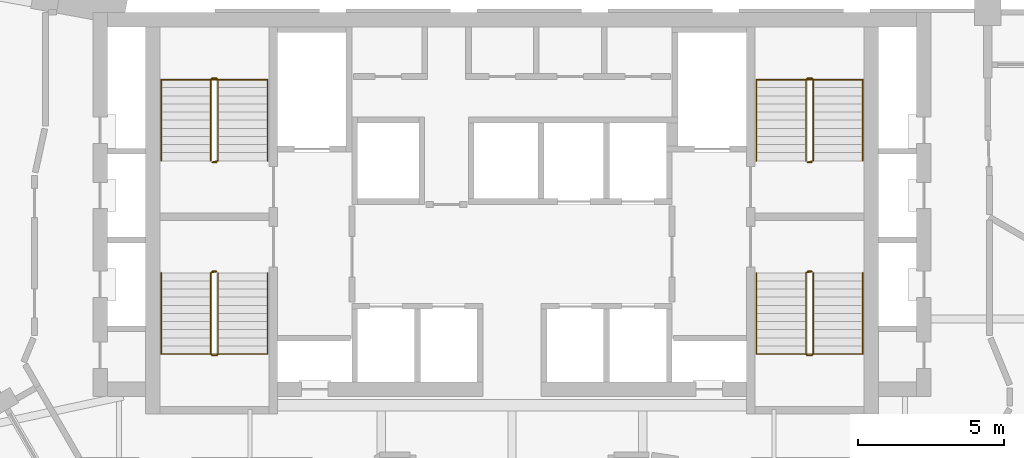
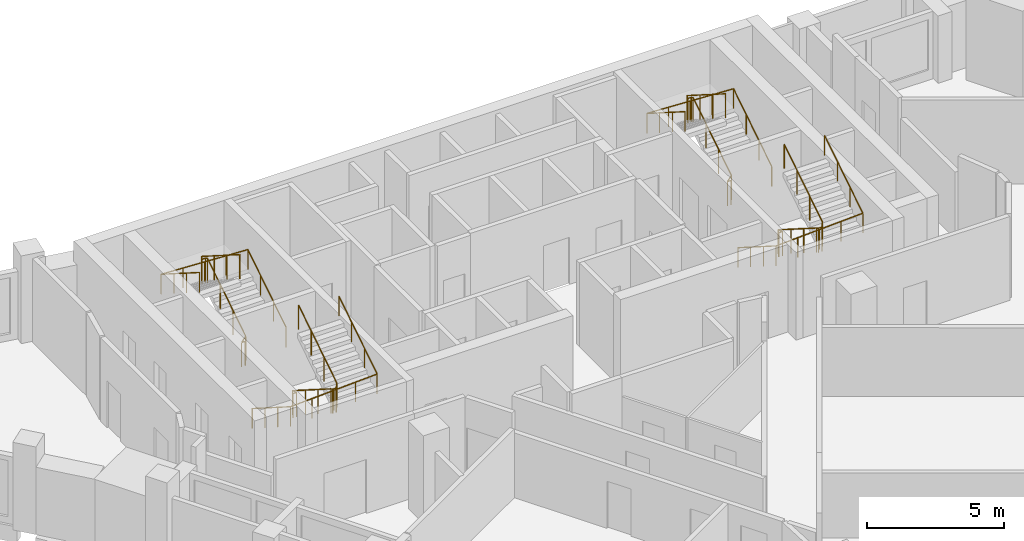
# One storey, part 9 of 9: 8 railings.
"""IFC4 building model written with IfcOpenShell, lengths in metres."""

from ifc_helpers import new_model, si_unit, direction, frame, origin, origin_2d, place, context, subcontext, project, spatial, circle, extrude, material, type_object, element, save


model = new_model("IFC4")

# Units and contexts
model_context = context("Model", 3, precision=1e-05, world=origin(), true_north=direction((0.0, 1.0)))
body_context = subcontext(model_context, "Body", "Model", "MODEL_VIEW")
ifc_project = project(units=[si_unit("LENGTHUNIT", "METRE"), si_unit("AREAUNIT", "SQUARE_METRE"), si_unit("VOLUMEUNIT", "CUBIC_METRE"), si_unit("PLANEANGLEUNIT", "RADIAN"), si_unit("MASSUNIT", "GRAM", prefix="KILO")], contexts=[model_context])

# Site, building, storey
site_placement = place(None, origin())
site = spatial("IfcSite", under=ifc_project, at=site_placement, CompositionType="ELEMENT")
building_placement = place(site_placement, origin())
building = spatial("IfcBuilding", under=site, at=building_placement, Name="Calabash Gate Tower", CompositionType="ELEMENT")
storey_placement = place(building_placement, frame((0.0, 0.0, 227.60009765625)))
storey = spatial("IfcBuildingStorey", under=building, at=storey_placement, Name="L54", CompositionType="ELEMENT", Elevation=227.60009765625)

# Railings
ifc_material_1 = material(Name="Black powder-coated steel balusters", Category="steel")
railing_type_1 = type_object("IfcRailingType", Name="Stair guard RL1100", PredefinedType="GUARDRAIL", material=ifc_material_1)
railing_1_placement = place(storey_placement, frame((-10.14990234375, 13.902587890625, 0.0)))
element("IfcRailing", 1, at=railing_1_placement, inside=storey, type_object=railing_type_1, Name="L54 ST1 stair guard 1", PredefinedType="GUARDRAIL", context=body_context, shape_type="SweptSolid", body=[
    extrude(circle(Radius=0.02392578125, at=origin_2d()), frame((0.0, 0.0, 1.076171875), z_axis=(-1.0, 0.0, 0.0), x_axis=(0.0, -1.0, 0.0)), (0.0, 0.0, 1.0), 0.150146484375),
    extrude(circle(Radius=0.02392578125, at=origin_2d()), frame((-0.150146484375, 0.0, 1.076171875), z_axis=(0.735524641326, 0.184105679453, 0.652003528208), x_axis=(-0.242814311512, 0.970072785993, 0.0)), (0.0, 0.0, 1.0), 0.271728515625),
    extrude(circle(Radius=0.02392578125, at=origin_2d()), frame((0.0498046875, 0.050048828125, 1.25341796875), z_axis=(0.0, 0.844041424197, 0.536277982245), x_axis=(-1.0, 0.0, 0.0)), (0.0, 0.0, 1.0), 3.3056640625),
    extrude(circle(Radius=0.02392578125, at=origin_2d()), frame((0.0498046875, 2.840087890625, 3.02587890625), z_axis=(-0.707106781187, 0.707106781187, 0.0), x_axis=(-0.707106781187, -0.707106781187, 0.0)), (0.0, 0.0, 1.0), 0.0703125),
    extrude(circle(Radius=0.02392578125, at=origin_2d()), frame((0.0, 2.889892578125, 3.02587890625), z_axis=(-1.0, 0.0, 0.0), x_axis=(0.0, -1.0, 0.0)), (0.0, 0.0, 1.0), 0.150146484375),
    extrude(circle(Radius=0.02392578125, at=origin_2d()), frame((-0.150146484375, 2.889892578125, 3.02587890625), z_axis=(-0.262321481514, -0.261041864531, 0.929001929653), x_axis=(0.705375805398, -0.708833529934, 0.0)), (0.0, 0.0, 1.0), 0.190673828125),
    extrude(circle(Radius=0.02392578125, at=origin_2d()), frame((-0.2001953125, 2.840087890625, 3.203125), z_axis=(0.0, -0.844041424197, 0.536277982245), x_axis=(1.0, 0.0, 0.0)), (0.0, 0.0, 1.0), 3.3056640625),
    extrude(circle(Radius=0.02099609375, at=origin_2d()), origin(), (0.0, 0.0, 1.0), 1.052001953125),
    extrude(circle(Radius=0.02099609375, at=origin_2d()), frame((-0.150146484375, 0.0, 0.0)), (0.0, 0.0, 1.0), 1.052001953125),
    extrude(circle(Radius=0.02099609375, at=origin_2d()), frame((0.0498046875, 0.050048828125, 0.17724609375)), (0.0, 0.0, 1.0), 1.052001953125),
    extrude(circle(Radius=0.02099609375, at=origin_2d()), frame((0.0498046875, 0.97998046875, 0.76806640625)), (0.0, 0.0, 1.0), 1.052001953125),
    extrude(circle(Radius=0.02099609375, at=origin_2d()), frame((0.0498046875, 1.91015625, 1.359130859375)), (0.0, 0.0, 1.0), 1.052001953125),
    extrude(circle(Radius=0.02099609375, at=origin_2d()), frame((0.0498046875, 2.840087890625, 1.949951171875)), (0.0, 0.0, 1.0), 1.052001953125),
    extrude(circle(Radius=0.02099609375, at=origin_2d()), frame((0.0, 2.889892578125, 1.949951171875)), (0.0, 0.0, 1.0), 1.052001953125),
    extrude(circle(Radius=0.02099609375, at=origin_2d()), frame((-0.150146484375, 2.889892578125, 1.949951171875)), (0.0, 0.0, 1.0), 1.052001953125),
    extrude(circle(Radius=0.02099609375, at=origin_2d()), frame((-0.2001953125, 2.840087890625, 2.127197265625)), (0.0, 0.0, 1.0), 1.052001953125),
    extrude(circle(Radius=0.02099609375, at=origin_2d()), frame((-0.2001953125, 1.91015625, 2.718017578125)), (0.0, 0.0, 1.0), 1.052001953125),
    extrude(circle(Radius=0.02099609375, at=origin_2d()), frame((-0.2001953125, 0.97998046875, 3.30908203125)), (0.0, 0.0, 1.0), 1.052001953125),
    extrude(circle(Radius=0.02099609375, at=origin_2d()), frame((-0.2001953125, 0.050048828125, 3.89990234375)), (0.0, 0.0, 1.0), 1.052001953125),
])
railing_2_placement = place(storey_placement, frame((-10.300048828125, 10.152587890625, 0.0)))
element("IfcRailing", 2, at=railing_2_placement, inside=storey, type_object=railing_type_1, Name="L54 ST2 stair guard 1", PredefinedType="GUARDRAIL", context=body_context, shape_type="SweptSolid", body=[
    extrude(circle(Radius=0.02392578125, at=origin_2d()), frame((0.0, 0.0, 1.076171875), z_axis=(1.0, 0.0, 0.0), x_axis=(0.0, 1.0, 0.0)), (0.0, 0.0, 1.0), 0.150146484375),
    extrude(circle(Radius=0.02392578125, at=origin_2d()), frame((0.150146484375, 0.0, 1.076171875), z_axis=(-0.735936453418, -0.183984113355, 0.651573006319), x_axis=(0.242535625036, -0.970142500145, 0.0)), (0.0, 0.0, 1.0), 0.27197265625),
    extrude(circle(Radius=0.02392578125, at=origin_2d()), frame((-0.050048828125, -0.050048828125, 1.25341796875), z_axis=(0.0, -0.844041424197, 0.536277982245), x_axis=(1.0, 0.0, 0.0)), (0.0, 0.0, 1.0), 3.3056640625),
    extrude(circle(Radius=0.02392578125, at=origin_2d()), frame((-0.050048828125, -2.840087890625, 3.02587890625), z_axis=(0.708833529934, -0.705375805398, 0.0), x_axis=(0.705375805398, 0.708833529934, 0.0)), (0.0, 0.0, 1.0), 0.070556640625),
    extrude(circle(Radius=0.02392578125, at=origin_2d()), frame((0.0, -2.889892578125, 3.02587890625), z_axis=(1.0, 0.0, 0.0), x_axis=(0.0, 1.0, 0.0)), (0.0, 0.0, 1.0), 0.150146484375),
    extrude(circle(Radius=0.02392578125, at=origin_2d()), frame((0.150146484375, -2.889892578125, 3.02587890625), z_axis=(0.261129318932, 0.261129318932, 0.929313164433), x_axis=(-0.707106781187, 0.707106781187, 0.0)), (0.0, 0.0, 1.0), 0.190673828125),
    extrude(circle(Radius=0.02392578125, at=origin_2d()), frame((0.199951171875, -2.840087890625, 3.203125), z_axis=(0.0, 0.844041424197, 0.536277982245), x_axis=(-1.0, 0.0, 0.0)), (0.0, 0.0, 1.0), 3.3056640625),
    extrude(circle(Radius=0.02099609375, at=origin_2d()), origin(), (0.0, 0.0, 1.0), 1.052001953125),
    extrude(circle(Radius=0.02099609375, at=origin_2d()), frame((0.150146484375, 0.0, 0.0)), (0.0, 0.0, 1.0), 1.052001953125),
    extrude(circle(Radius=0.02099609375, at=origin_2d()), frame((-0.050048828125, -0.050048828125, 0.17724609375)), (0.0, 0.0, 1.0), 1.052001953125),
    extrude(circle(Radius=0.02099609375, at=origin_2d()), frame((-0.050048828125, -0.97998046875, 0.76806640625)), (0.0, 0.0, 1.0), 1.052001953125),
    extrude(circle(Radius=0.02099609375, at=origin_2d()), frame((-0.050048828125, -1.91015625, 1.359130859375)), (0.0, 0.0, 1.0), 1.052001953125),
    extrude(circle(Radius=0.02099609375, at=origin_2d()), frame((-0.050048828125, -2.840087890625, 1.949951171875)), (0.0, 0.0, 1.0), 1.052001953125),
    extrude(circle(Radius=0.02099609375, at=origin_2d()), frame((0.0, -2.889892578125, 1.949951171875)), (0.0, 0.0, 1.0), 1.052001953125),
    extrude(circle(Radius=0.02099609375, at=origin_2d()), frame((0.150146484375, -2.889892578125, 1.949951171875)), (0.0, 0.0, 1.0), 1.052001953125),
    extrude(circle(Radius=0.02099609375, at=origin_2d()), frame((0.199951171875, -2.840087890625, 2.127197265625)), (0.0, 0.0, 1.0), 1.052001953125),
    extrude(circle(Radius=0.02099609375, at=origin_2d()), frame((0.199951171875, -1.91015625, 2.718017578125)), (0.0, 0.0, 1.0), 1.052001953125),
    extrude(circle(Radius=0.02099609375, at=origin_2d()), frame((0.199951171875, -0.97998046875, 3.30908203125)), (0.0, 0.0, 1.0), 1.052001953125),
    extrude(circle(Radius=0.02099609375, at=origin_2d()), frame((0.199951171875, -0.050048828125, 3.89990234375)), (0.0, 0.0, 1.0), 1.052001953125),
])
railing_3_placement = place(storey_placement, frame((10.300048828125, 13.902587890625, 0.0)))
element("IfcRailing", 3, at=railing_3_placement, inside=storey, type_object=railing_type_1, Name="L54 ST3 stair guard 1", PredefinedType="GUARDRAIL", context=body_context, shape_type="SweptSolid", body=[
    extrude(circle(Radius=0.02392578125, at=origin_2d()), frame((0.0, 0.0, 1.076171875), z_axis=(-1.0, 0.0, 0.0), x_axis=(0.0, -1.0, 0.0)), (0.0, 0.0, 1.0), 0.150146484375),
    extrude(circle(Radius=0.02392578125, at=origin_2d()), frame((-0.150146484375, 0.0, 1.076171875), z_axis=(0.735936453418, 0.183984113355, 0.651573006319), x_axis=(-0.242535625036, 0.970142500145, 0.0)), (0.0, 0.0, 1.0), 0.27197265625),
    extrude(circle(Radius=0.02392578125, at=origin_2d()), frame((0.050048828125, 0.050048828125, 1.25341796875), z_axis=(0.0, 0.844041424197, 0.536277982245), x_axis=(-1.0, 0.0, 0.0)), (0.0, 0.0, 1.0), 3.3056640625),
    extrude(circle(Radius=0.02392578125, at=origin_2d()), frame((0.050048828125, 2.840087890625, 3.02587890625), z_axis=(-0.708833529934, 0.705375805398, 0.0), x_axis=(-0.705375805398, -0.708833529934, 0.0)), (0.0, 0.0, 1.0), 0.070556640625),
    extrude(circle(Radius=0.02392578125, at=origin_2d()), frame((0.0, 2.889892578125, 3.02587890625), z_axis=(-1.0, 0.0, 0.0), x_axis=(0.0, -1.0, 0.0)), (0.0, 0.0, 1.0), 0.150146484375),
    extrude(circle(Radius=0.02392578125, at=origin_2d()), frame((-0.150146484375, 2.889892578125, 3.02587890625), z_axis=(-0.261129318932, -0.261129318932, 0.929313164433), x_axis=(0.707106781187, -0.707106781187, 0.0)), (0.0, 0.0, 1.0), 0.190673828125),
    extrude(circle(Radius=0.02392578125, at=origin_2d()), frame((-0.199951171875, 2.840087890625, 3.203125), z_axis=(0.0, -0.844041424197, 0.536277982245), x_axis=(1.0, 0.0, 0.0)), (0.0, 0.0, 1.0), 3.3056640625),
    extrude(circle(Radius=0.02099609375, at=origin_2d()), origin(), (0.0, 0.0, 1.0), 1.052001953125),
    extrude(circle(Radius=0.02099609375, at=origin_2d()), frame((-0.150146484375, 0.0, 0.0)), (0.0, 0.0, 1.0), 1.052001953125),
    extrude(circle(Radius=0.02099609375, at=origin_2d()), frame((0.050048828125, 0.050048828125, 0.17724609375)), (0.0, 0.0, 1.0), 1.052001953125),
    extrude(circle(Radius=0.02099609375, at=origin_2d()), frame((0.050048828125, 0.97998046875, 0.76806640625)), (0.0, 0.0, 1.0), 1.052001953125),
    extrude(circle(Radius=0.02099609375, at=origin_2d()), frame((0.050048828125, 1.91015625, 1.359130859375)), (0.0, 0.0, 1.0), 1.052001953125),
    extrude(circle(Radius=0.02099609375, at=origin_2d()), frame((0.050048828125, 2.840087890625, 1.949951171875)), (0.0, 0.0, 1.0), 1.052001953125),
    extrude(circle(Radius=0.02099609375, at=origin_2d()), frame((0.0, 2.889892578125, 1.949951171875)), (0.0, 0.0, 1.0), 1.052001953125),
    extrude(circle(Radius=0.02099609375, at=origin_2d()), frame((-0.150146484375, 2.889892578125, 1.949951171875)), (0.0, 0.0, 1.0), 1.052001953125),
    extrude(circle(Radius=0.02099609375, at=origin_2d()), frame((-0.199951171875, 2.840087890625, 2.127197265625)), (0.0, 0.0, 1.0), 1.052001953125),
    extrude(circle(Radius=0.02099609375, at=origin_2d()), frame((-0.199951171875, 1.91015625, 2.718017578125)), (0.0, 0.0, 1.0), 1.052001953125),
    extrude(circle(Radius=0.02099609375, at=origin_2d()), frame((-0.199951171875, 0.97998046875, 3.30908203125)), (0.0, 0.0, 1.0), 1.052001953125),
    extrude(circle(Radius=0.02099609375, at=origin_2d()), frame((-0.199951171875, 0.050048828125, 3.89990234375)), (0.0, 0.0, 1.0), 1.052001953125),
])
railing_4_placement = place(storey_placement, frame((10.14990234375, 10.152587890625, 0.0)))
element("IfcRailing", 4, at=railing_4_placement, inside=storey, type_object=railing_type_1, Name="L54 ST4 stair guard 1", PredefinedType="GUARDRAIL", context=body_context, shape_type="SweptSolid", body=[
    extrude(circle(Radius=0.02392578125, at=origin_2d()), frame((0.0, 0.0, 1.076171875), z_axis=(1.0, 0.0, 0.0), x_axis=(0.0, 1.0, 0.0)), (0.0, 0.0, 1.0), 0.150146484375),
    extrude(circle(Radius=0.02392578125, at=origin_2d()), frame((0.150146484375, 0.0, 1.076171875), z_axis=(-0.735524641326, -0.184105679453, 0.652003528208), x_axis=(0.242814311512, -0.970072785993, 0.0)), (0.0, 0.0, 1.0), 0.271728515625),
    extrude(circle(Radius=0.02392578125, at=origin_2d()), frame((-0.0498046875, -0.050048828125, 1.25341796875), z_axis=(0.0, -0.844041424197, 0.536277982245), x_axis=(1.0, 0.0, 0.0)), (0.0, 0.0, 1.0), 3.3056640625),
    extrude(circle(Radius=0.02392578125, at=origin_2d()), frame((-0.0498046875, -2.840087890625, 3.02587890625), z_axis=(0.707106781187, -0.707106781187, 0.0), x_axis=(0.707106781187, 0.707106781187, 0.0)), (0.0, 0.0, 1.0), 0.0703125),
    extrude(circle(Radius=0.02392578125, at=origin_2d()), frame((0.0, -2.889892578125, 3.02587890625), z_axis=(1.0, 0.0, 0.0), x_axis=(0.0, 1.0, 0.0)), (0.0, 0.0, 1.0), 0.150146484375),
    extrude(circle(Radius=0.02392578125, at=origin_2d()), frame((0.150146484375, -2.889892578125, 3.02587890625), z_axis=(0.262321481514, 0.261041864531, 0.929001929653), x_axis=(-0.705375805398, 0.708833529934, 0.0)), (0.0, 0.0, 1.0), 0.190673828125),
    extrude(circle(Radius=0.02392578125, at=origin_2d()), frame((0.2001953125, -2.840087890625, 3.203125), z_axis=(0.0, 0.844041424197, 0.536277982245), x_axis=(-1.0, 0.0, 0.0)), (0.0, 0.0, 1.0), 3.3056640625),
    extrude(circle(Radius=0.02099609375, at=origin_2d()), origin(), (0.0, 0.0, 1.0), 1.052001953125),
    extrude(circle(Radius=0.02099609375, at=origin_2d()), frame((0.150146484375, 0.0, 0.0)), (0.0, 0.0, 1.0), 1.052001953125),
    extrude(circle(Radius=0.02099609375, at=origin_2d()), frame((-0.0498046875, -0.050048828125, 0.17724609375)), (0.0, 0.0, 1.0), 1.052001953125),
    extrude(circle(Radius=0.02099609375, at=origin_2d()), frame((-0.0498046875, -0.97998046875, 0.76806640625)), (0.0, 0.0, 1.0), 1.052001953125),
    extrude(circle(Radius=0.02099609375, at=origin_2d()), frame((-0.0498046875, -1.91015625, 1.359130859375)), (0.0, 0.0, 1.0), 1.052001953125),
    extrude(circle(Radius=0.02099609375, at=origin_2d()), frame((-0.0498046875, -2.840087890625, 1.949951171875)), (0.0, 0.0, 1.0), 1.052001953125),
    extrude(circle(Radius=0.02099609375, at=origin_2d()), frame((0.0, -2.889892578125, 1.949951171875)), (0.0, 0.0, 1.0), 1.052001953125),
    extrude(circle(Radius=0.02099609375, at=origin_2d()), frame((0.150146484375, -2.889892578125, 1.949951171875)), (0.0, 0.0, 1.0), 1.052001953125),
    extrude(circle(Radius=0.02099609375, at=origin_2d()), frame((0.2001953125, -2.840087890625, 2.127197265625)), (0.0, 0.0, 1.0), 1.052001953125),
    extrude(circle(Radius=0.02099609375, at=origin_2d()), frame((0.2001953125, -1.91015625, 2.718017578125)), (0.0, 0.0, 1.0), 1.052001953125),
    extrude(circle(Radius=0.02099609375, at=origin_2d()), frame((0.2001953125, -0.97998046875, 3.30908203125)), (0.0, 0.0, 1.0), 1.052001953125),
    extrude(circle(Radius=0.02099609375, at=origin_2d()), frame((0.2001953125, -0.050048828125, 3.89990234375)), (0.0, 0.0, 1.0), 1.052001953125),
])
ifc_material_2 = material(Name="Black powder-coated steel tube 48 mm", Category="steel")
railing_type_2 = type_object("IfcRailingType", Name="Stair handrail RL900", PredefinedType="HANDRAIL", material=ifc_material_2)
railing_5_placement = place(storey_placement, frame((-8.39990234375, 13.95263671875, 0.17724609375)))
element("IfcRailing", 5, at=railing_5_placement, inside=storey, type_object=railing_type_2, Name="L54 ST1 stair handrail 1", PredefinedType="HANDRAIL", context=body_context, shape_type="SweptSolid", body=[
    extrude(circle(Radius=0.02392578125, at=origin_2d()), frame((0.0, 0.0, 0.8759765625), z_axis=(0.0, 0.844041424197, 0.536277982245), x_axis=(-1.0, 0.0, 0.0)), (0.0, 0.0, 1.0), 3.3056640625),
    extrude(circle(Radius=0.02392578125, at=origin_2d()), frame((0.0, 2.7900390625, 2.6484375), z_axis=(-0.998823110844, 0.0, 0.048501476722), x_axis=(0.0, -1.0, 0.0)), (0.0, 0.0, 1.0), 3.654541015625),
    extrude(circle(Radius=0.02392578125, at=origin_2d()), frame((-3.650146484375, 2.7900390625, 2.82568359375), z_axis=(0.0, -0.844041424197, 0.536277982245), x_axis=(1.0, 0.0, 0.0)), (0.0, 0.0, 1.0), 3.3056640625),
    extrude(circle(Radius=0.02099609375, at=origin_2d()), origin(), (0.0, 0.0, 1.0), 0.851806640625),
    extrude(circle(Radius=0.02099609375, at=origin_2d()), frame((0.0, 0.929931640625, 0.5908203125)), (0.0, 0.0, 1.0), 0.851806640625),
    extrude(circle(Radius=0.02099609375, at=origin_2d()), frame((0.0, 1.860107421875, 1.181884765625)), (0.0, 0.0, 1.0), 0.851806640625),
    extrude(circle(Radius=0.02099609375, at=origin_2d()), frame((0.0, 2.7900390625, 1.772705078125)), (0.0, 0.0, 1.0), 0.851806640625),
    extrude(circle(Radius=0.02099609375, at=origin_2d()), frame((-0.91259765625, 2.7900390625, 1.81689453125)), (0.0, 0.0, 1.0), 0.851806640625),
    extrude(circle(Radius=0.02099609375, at=origin_2d()), frame((-1.8251953125, 2.7900390625, 1.861328125)), (0.0, 0.0, 1.0), 0.851806640625),
    extrude(circle(Radius=0.02099609375, at=origin_2d()), frame((-2.737548828125, 2.7900390625, 1.90576171875)), (0.0, 0.0, 1.0), 0.851806640625),
    extrude(circle(Radius=0.02099609375, at=origin_2d()), frame((-3.650146484375, 2.7900390625, 1.949951171875)), (0.0, 0.0, 1.0), 0.851806640625),
    extrude(circle(Radius=0.02099609375, at=origin_2d()), frame((-3.650146484375, 1.860107421875, 2.540771484375)), (0.0, 0.0, 1.0), 0.851806640625),
    extrude(circle(Radius=0.02099609375, at=origin_2d()), frame((-3.650146484375, 0.929931640625, 3.1318359375)), (0.0, 0.0, 1.0), 0.851806640625),
    extrude(circle(Radius=0.02099609375, at=origin_2d()), frame((-3.650146484375, 0.0, 3.72265625)), (0.0, 0.0, 1.0), 0.851806640625),
])
railing_6_placement = place(storey_placement, frame((-12.050048828125, 10.1025390625, 0.17724609375)))
element("IfcRailing", 6, at=railing_6_placement, inside=storey, type_object=railing_type_2, Name="L54 ST2 stair handrail 1", PredefinedType="HANDRAIL", context=body_context, shape_type="SweptSolid", body=[
    extrude(circle(Radius=0.02392578125, at=origin_2d()), frame((0.0, 0.0, 0.8759765625), z_axis=(0.0, -0.844041424197, 0.536277982245), x_axis=(1.0, 0.0, 0.0)), (0.0, 0.0, 1.0), 3.3056640625),
    extrude(circle(Radius=0.02392578125, at=origin_2d()), frame((0.0, -2.7900390625, 2.6484375), z_axis=(0.998823110844, 0.0, 0.048501476722), x_axis=(0.0, 1.0, 0.0)), (0.0, 0.0, 1.0), 3.654541015625),
    extrude(circle(Radius=0.02392578125, at=origin_2d()), frame((3.650146484375, -2.7900390625, 2.82568359375), z_axis=(0.0, 0.844041424197, 0.536277982245), x_axis=(-1.0, 0.0, 0.0)), (0.0, 0.0, 1.0), 3.3056640625),
    extrude(circle(Radius=0.02099609375, at=origin_2d()), origin(), (0.0, 0.0, 1.0), 0.851806640625),
    extrude(circle(Radius=0.02099609375, at=origin_2d()), frame((0.0, -0.929931640625, 0.5908203125)), (0.0, 0.0, 1.0), 0.851806640625),
    extrude(circle(Radius=0.02099609375, at=origin_2d()), frame((0.0, -1.860107421875, 1.181884765625)), (0.0, 0.0, 1.0), 0.851806640625),
    extrude(circle(Radius=0.02099609375, at=origin_2d()), frame((0.0, -2.7900390625, 1.772705078125)), (0.0, 0.0, 1.0), 0.851806640625),
    extrude(circle(Radius=0.02099609375, at=origin_2d()), frame((0.91259765625, -2.7900390625, 1.81689453125)), (0.0, 0.0, 1.0), 0.851806640625),
    extrude(circle(Radius=0.02099609375, at=origin_2d()), frame((1.8251953125, -2.7900390625, 1.861328125)), (0.0, 0.0, 1.0), 0.851806640625),
    extrude(circle(Radius=0.02099609375, at=origin_2d()), frame((2.737548828125, -2.7900390625, 1.90576171875)), (0.0, 0.0, 1.0), 0.851806640625),
    extrude(circle(Radius=0.02099609375, at=origin_2d()), frame((3.650146484375, -2.7900390625, 1.949951171875)), (0.0, 0.0, 1.0), 0.851806640625),
    extrude(circle(Radius=0.02099609375, at=origin_2d()), frame((3.650146484375, -1.860107421875, 2.540771484375)), (0.0, 0.0, 1.0), 0.851806640625),
    extrude(circle(Radius=0.02099609375, at=origin_2d()), frame((3.650146484375, -0.929931640625, 3.1318359375)), (0.0, 0.0, 1.0), 0.851806640625),
    extrude(circle(Radius=0.02099609375, at=origin_2d()), frame((3.650146484375, 0.0, 3.72265625)), (0.0, 0.0, 1.0), 0.851806640625),
])
railing_7_placement = place(storey_placement, frame((12.050048828125, 13.95263671875, 0.17724609375)))
element("IfcRailing", 7, at=railing_7_placement, inside=storey, type_object=railing_type_2, Name="L54 ST3 stair handrail 1", PredefinedType="HANDRAIL", context=body_context, shape_type="SweptSolid", body=[
    extrude(circle(Radius=0.02392578125, at=origin_2d()), frame((0.0, 0.0, 0.8759765625), z_axis=(0.0, 0.844041424197, 0.536277982245), x_axis=(-1.0, 0.0, 0.0)), (0.0, 0.0, 1.0), 3.3056640625),
    extrude(circle(Radius=0.02392578125, at=origin_2d()), frame((0.0, 2.7900390625, 2.6484375), z_axis=(-0.998823110844, 0.0, 0.048501476722), x_axis=(0.0, -1.0, 0.0)), (0.0, 0.0, 1.0), 3.654541015625),
    extrude(circle(Radius=0.02392578125, at=origin_2d()), frame((-3.650146484375, 2.7900390625, 2.82568359375), z_axis=(0.0, -0.844041424197, 0.536277982245), x_axis=(1.0, 0.0, 0.0)), (0.0, 0.0, 1.0), 3.3056640625),
    extrude(circle(Radius=0.02099609375, at=origin_2d()), origin(), (0.0, 0.0, 1.0), 0.851806640625),
    extrude(circle(Radius=0.02099609375, at=origin_2d()), frame((0.0, 0.929931640625, 0.5908203125)), (0.0, 0.0, 1.0), 0.851806640625),
    extrude(circle(Radius=0.02099609375, at=origin_2d()), frame((0.0, 1.860107421875, 1.181884765625)), (0.0, 0.0, 1.0), 0.851806640625),
    extrude(circle(Radius=0.02099609375, at=origin_2d()), frame((0.0, 2.7900390625, 1.772705078125)), (0.0, 0.0, 1.0), 0.851806640625),
    extrude(circle(Radius=0.02099609375, at=origin_2d()), frame((-0.91259765625, 2.7900390625, 1.81689453125)), (0.0, 0.0, 1.0), 0.851806640625),
    extrude(circle(Radius=0.02099609375, at=origin_2d()), frame((-1.8251953125, 2.7900390625, 1.861328125)), (0.0, 0.0, 1.0), 0.851806640625),
    extrude(circle(Radius=0.02099609375, at=origin_2d()), frame((-2.737548828125, 2.7900390625, 1.90576171875)), (0.0, 0.0, 1.0), 0.851806640625),
    extrude(circle(Radius=0.02099609375, at=origin_2d()), frame((-3.650146484375, 2.7900390625, 1.949951171875)), (0.0, 0.0, 1.0), 0.851806640625),
    extrude(circle(Radius=0.02099609375, at=origin_2d()), frame((-3.650146484375, 1.860107421875, 2.540771484375)), (0.0, 0.0, 1.0), 0.851806640625),
    extrude(circle(Radius=0.02099609375, at=origin_2d()), frame((-3.650146484375, 0.929931640625, 3.1318359375)), (0.0, 0.0, 1.0), 0.851806640625),
    extrude(circle(Radius=0.02099609375, at=origin_2d()), frame((-3.650146484375, 0.0, 3.72265625)), (0.0, 0.0, 1.0), 0.851806640625),
])
railing_8_placement = place(storey_placement, frame((8.39990234375, 10.1025390625, 0.17724609375)))
element("IfcRailing", 8, at=railing_8_placement, inside=storey, type_object=railing_type_2, Name="L54 ST4 stair handrail 1", PredefinedType="HANDRAIL", context=body_context, shape_type="SweptSolid", body=[
    extrude(circle(Radius=0.02392578125, at=origin_2d()), frame((0.0, 0.0, 0.8759765625), z_axis=(0.0, -0.844041424197, 0.536277982245), x_axis=(1.0, 0.0, 0.0)), (0.0, 0.0, 1.0), 3.3056640625),
    extrude(circle(Radius=0.02392578125, at=origin_2d()), frame((0.0, -2.7900390625, 2.6484375), z_axis=(0.998823110844, 0.0, 0.048501476722), x_axis=(0.0, 1.0, 0.0)), (0.0, 0.0, 1.0), 3.654541015625),
    extrude(circle(Radius=0.02392578125, at=origin_2d()), frame((3.650146484375, -2.7900390625, 2.82568359375), z_axis=(0.0, 0.844041424197, 0.536277982245), x_axis=(-1.0, 0.0, 0.0)), (0.0, 0.0, 1.0), 3.3056640625),
    extrude(circle(Radius=0.02099609375, at=origin_2d()), origin(), (0.0, 0.0, 1.0), 0.851806640625),
    extrude(circle(Radius=0.02099609375, at=origin_2d()), frame((0.0, -0.929931640625, 0.5908203125)), (0.0, 0.0, 1.0), 0.851806640625),
    extrude(circle(Radius=0.02099609375, at=origin_2d()), frame((0.0, -1.860107421875, 1.181884765625)), (0.0, 0.0, 1.0), 0.851806640625),
    extrude(circle(Radius=0.02099609375, at=origin_2d()), frame((0.0, -2.7900390625, 1.772705078125)), (0.0, 0.0, 1.0), 0.851806640625),
    extrude(circle(Radius=0.02099609375, at=origin_2d()), frame((0.91259765625, -2.7900390625, 1.81689453125)), (0.0, 0.0, 1.0), 0.851806640625),
    extrude(circle(Radius=0.02099609375, at=origin_2d()), frame((1.8251953125, -2.7900390625, 1.861328125)), (0.0, 0.0, 1.0), 0.851806640625),
    extrude(circle(Radius=0.02099609375, at=origin_2d()), frame((2.737548828125, -2.7900390625, 1.90576171875)), (0.0, 0.0, 1.0), 0.851806640625),
    extrude(circle(Radius=0.02099609375, at=origin_2d()), frame((3.650146484375, -2.7900390625, 1.949951171875)), (0.0, 0.0, 1.0), 0.851806640625),
    extrude(circle(Radius=0.02099609375, at=origin_2d()), frame((3.650146484375, -1.860107421875, 2.540771484375)), (0.0, 0.0, 1.0), 0.851806640625),
    extrude(circle(Radius=0.02099609375, at=origin_2d()), frame((3.650146484375, -0.929931640625, 3.1318359375)), (0.0, 0.0, 1.0), 0.851806640625),
    extrude(circle(Radius=0.02099609375, at=origin_2d()), frame((3.650146484375, 0.0, 3.72265625)), (0.0, 0.0, 1.0), 0.851806640625),
])

save(model, "model.ifc")
